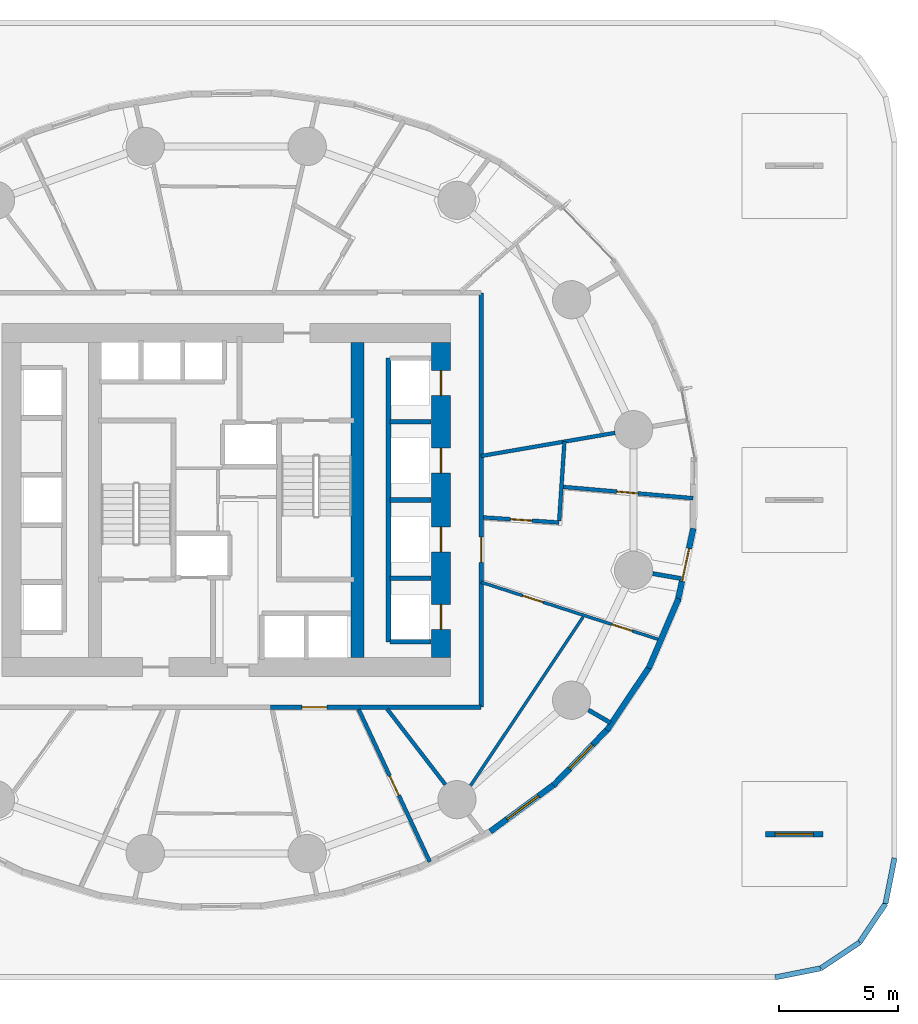
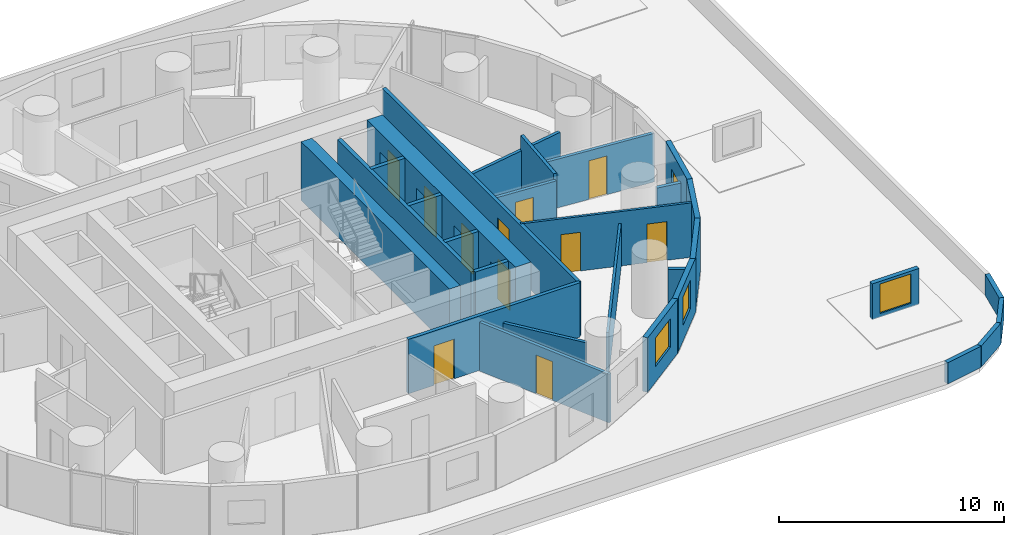
# One storey, part 8 of 12: 29 walls, 12 doors, 3 windows, 15 openings.
"""IFC4 building model written with IfcOpenShell, lengths in metres."""

from ifc_helpers import new_model, si_unit, direction, frame, frame_2d, origin, place, context, subcontext, project, spatial, rectangle, extrude, material, layer, layer_set, type_object, element, fill, save


model = new_model("IFC4")

# Units and contexts
model_context = context("Model", 3, precision=1e-05, world=origin(), true_north=direction((0.0, 1.0)))
body_context = subcontext(model_context, "Body", "Model", "MODEL_VIEW")
ifc_project = project(units=[si_unit("LENGTHUNIT", "METRE"), si_unit("AREAUNIT", "SQUARE_METRE"), si_unit("VOLUMEUNIT", "CUBIC_METRE"), si_unit("PLANEANGLEUNIT", "RADIAN"), si_unit("MASSUNIT", "GRAM", prefix="KILO")], contexts=[model_context])

# Site, building, storey
site_placement = place(None, origin())
site = spatial("IfcSite", under=ifc_project, at=site_placement, CompositionType="ELEMENT")
building_placement = place(site_placement, origin())
building = spatial("IfcBuilding", under=site, at=building_placement, Name="Veldorim Arch Residences", CompositionType="ELEMENT")
storey_placement = place(building_placement, frame((0.0, 0.0, 24.800048828125)))
storey = spatial("IfcBuildingStorey", under=building, at=storey_placement, Name="L06", CompositionType="ELEMENT", Elevation=24.800048828125)

# Wall, openings, doors
ifc_material_1 = material(Name="Acoustic Gypsum Board", Category="gypsum")
ifc_layer_1 = layer(ifc_material_1, 0.125, Name="Acoustic Stud Room Partition Wall 125")
ifc_layer_set_1 = layer_set([ifc_layer_1], Name="Acoustic Gypsum Board")
wall_type_1 = type_object("IfcWallType", Name="Acoustic Stud Room Partition Wall 125", PredefinedType="PARTITIONING", material=ifc_layer_set_1)
wall_1_placement = place(storey_placement, frame((50.195068359375, 18.132080078125, 0.0), z_axis=(0.0, 0.0, 1.0), x_axis=(-0.951723769721, 0.306955804879, 0.0)))
wall_1 = element("IfcWall", 1, at=wall_1_placement, inside=storey, type_object=wall_type_1, Name="L06 interior wall WL-RES-L06-017", PredefinedType="PARTITIONING", context=body_context, shape_type="SweptSolid", body=[
    extrude(rectangle(XDim=7.896240234375, YDim=0.125, at=frame_2d((3.9482421875, 0.0))), origin(), (0.0, 0.0, 1.0), 2.954833984375),
])
opening_1_placement = place(wall_1_placement, frame((1.2412109375, 0.0, 0.0)))
opening_1 = element("IfcOpeningElement", 2, at=opening_1_placement, cuts=wall_1, Name="Opening DR-INT", PredefinedType="OPENING", context=body_context, shape_type="SweptSolid", body=[
    extrude(rectangle(XDim=0.89990234375, YDim=2.10009765625, at=frame_2d((0.449951171875, 1.050048828125))), frame((0.0, 0.072509765625, 0.0), z_axis=(0.0, -1.0, 0.0), x_axis=(1.0, 0.0, 0.0)), (0.0, 0.0, 1.0), 0.14501953125),
])
opening_2_placement = place(wall_1_placement, frame((5.1689453125, 0.0, 0.0)))
opening_2 = element("IfcOpeningElement", 3, at=opening_2_placement, cuts=wall_1, Name="Opening DR-INT", PredefinedType="OPENING", context=body_context, shape_type="SweptSolid", body=[
    extrude(rectangle(XDim=0.89990234375, YDim=2.10009765625, at=frame_2d((0.449951171875, 1.050048828125))), frame((0.0, 0.072509765625, 0.0), z_axis=(0.0, -1.0, 0.0), x_axis=(1.0, 0.0, 0.0)), (0.0, 0.0, 1.0), 0.14501953125),
])
ifc_material_2 = material(Name="Engineered Timber", Category="wood")
door_type_1 = type_object("IfcDoorType", Name="Apartment Internal Room Timber Door 900x2100", OperationType="SINGLE_SWING_LEFT", PredefinedType="DOOR", material=ifc_material_2)
door_1_placement = place(opening_1_placement, origin())
door_1 = element("IfcDoor", 4, at=door_1_placement, inside=storey, type_object=door_type_1, Name="L06 interior door DR-RES-L06-010", OperationType="SINGLE_SWING_RIGHT", OverallHeight=2.10009765625, OverallWidth=0.89990234375, PredefinedType="DOOR", context=body_context, shape_type="SweptSolid", body=[
    extrude(rectangle(XDim=0.89990234375, YDim=2.10009765625, at=frame_2d((0.449951171875, 1.050048828125))), frame((0.0, 0.02490234375, 0.0), z_axis=(0.0, -1.0, 0.0), x_axis=(1.0, 0.0, 0.0)), (0.0, 0.0, 1.0), 0.050048828125),
])
fill(opening_1, door_1)
door_2_placement = place(opening_2_placement, origin())
door_2 = element("IfcDoor", 5, at=door_2_placement, inside=storey, type_object=door_type_1, Name="L06 interior door DR-RES-L06-011", OperationType="SINGLE_SWING_LEFT", OverallHeight=2.10009765625, OverallWidth=0.89990234375, PredefinedType="DOOR", context=body_context, shape_type="SweptSolid", body=[
    extrude(rectangle(XDim=0.89990234375, YDim=2.10009765625, at=frame_2d((0.449951171875, 1.050048828125))), frame((0.0, 0.02490234375, 0.0), z_axis=(0.0, -1.0, 0.0), x_axis=(1.0, 0.0, 0.0)), (0.0, 0.0, 1.0), 0.050048828125),
])
fill(opening_2, door_2)

# Walls
wall_2_placement = place(storey_placement, frame((42.239990234375, 12.037353515625, 0.0), z_axis=(0.0, 0.0, 1.0), x_axis=(0.55508513016, 0.831793543059, 0.0)))
element("IfcWall", 6, at=wall_2_placement, inside=storey, type_object=wall_type_1, Name="L06 interior wall WL-RES-L06-021", PredefinedType="PARTITIONING", context=body_context, shape_type="SweptSolid", body=[
    extrude(rectangle(XDim=8.48779296875, YDim=0.125, at=frame_2d((4.243896484375, 0.0))), origin(), (0.0, 0.0, 1.0), 2.32763671875),
])
ifc_material_3 = material(Name="Lightweight Masonry Block & Gypsum", Category="masonry")
ifc_layer_2 = layer(ifc_material_3, 0.179931640625, Name="Compartment & Corridor Fire-Rated Party Wall 180")
ifc_layer_set_2 = layer_set([ifc_layer_2], Name="Lightweight Masonry Block & Gypsum")
wall_type_2 = type_object("IfcWallType", Name="Compartment & Corridor Fire-Rated Party Wall 180", PredefinedType="PARTITIONING", material=ifc_layer_set_2)
wall_3_placement = place(storey_placement, frame((47.177001953125, 15.19970703125, 0.0), z_axis=(0.0, 0.0, 1.0), x_axis=(0.865001274409, -0.501769663562, 0.0)))
element("IfcWall", 7, at=wall_3_placement, inside=storey, type_object=wall_type_2, Name="L06 interior wall WL-PIER-L06-15", PredefinedType="PARTITIONING", context=body_context, shape_type="SweptSolid", body=[
    extrude(rectangle(XDim=1.062744140625, YDim=0.179931640625, at=frame_2d((0.53125, 0.0))), origin(), (0.0, 0.0, 1.0), 2.17822265625),
])
wall_4_placement = place(storey_placement, frame((49.873779296875, 20.91455078125, 0.0), z_axis=(0.0, 0.0, 1.0), x_axis=(0.985412344637, -0.170183756676, 0.0)))
element("IfcWall", 8, at=wall_4_placement, inside=storey, type_object=wall_type_2, Name="L06 interior wall WL-PIER-L06-16", PredefinedType="PARTITIONING", context=body_context, shape_type="SweptSolid", body=[
    extrude(rectangle(XDim=1.210693359375, YDim=0.179931640625, at=frame_2d((0.60546875, 0.0))), origin(), (0.0, 0.0, 1.0), 2.17822265625),
])

# Wall, opening, door
wall_5_placement = place(storey_placement, frame((42.679931640625, 15.320068359375, 0.0), z_axis=(0.0, 0.0, 1.0), x_axis=(-1.0, 0.0, 0.0)))
wall_5 = element("IfcWall", 9, at=wall_5_placement, inside=storey, type_object=wall_type_2, Name="L06 interior wall WL-RES-L06-003", PredefinedType="PARTITIONING", context=body_context, shape_type="SweptSolid", body=[
    extrude(rectangle(XDim=8.822509765625, YDim=0.179931640625, at=frame_2d((4.4111328125, 0.0))), origin(), (0.0, 0.0, 1.0), 2.954833984375),
])
opening_3_placement = place(wall_5_placement, frame((6.461669921875, 0.0, 0.0)))
opening_3 = element("IfcOpeningElement", 10, at=opening_3_placement, cuts=wall_5, Name="Opening DR-FLT", PredefinedType="OPENING", context=body_context, shape_type="SweptSolid", body=[
    extrude(rectangle(XDim=1.050048828125, YDim=2.14990234375, at=frame_2d((0.52490234375, 1.074951171875))), frame((0.0, 0.099853515625, 0.0), z_axis=(0.0, -1.0, 0.0), x_axis=(1.0, 0.0, 0.0)), (0.0, 0.0, 1.0), 0.199951171875),
])
ifc_material_4 = material(Name="Fire-Rated Timber", Category="wood")
door_type_2 = type_object("IfcDoorType", Name="Apartment Entrance Solid-Core Fire Door 1050x2150", OperationType="SINGLE_SWING_LEFT", PredefinedType="DOOR", material=ifc_material_4)
door_3_placement = place(opening_3_placement, origin())
door_3 = element("IfcDoor", 11, at=door_3_placement, inside=storey, type_object=door_type_2, Name="L06 interior door DR-RES-L06-004", OperationType="SINGLE_SWING_RIGHT", OverallHeight=2.14990234375, OverallWidth=1.050048828125, PredefinedType="DOOR", context=body_context, shape_type="SweptSolid", body=[
    extrude(rectangle(XDim=1.050048828125, YDim=2.14990234375, at=frame_2d((0.52490234375, 1.074951171875))), frame((0.0, 0.02490234375, 0.0), z_axis=(0.0, -1.0, 0.0), x_axis=(1.0, 0.0, 0.0)), (0.0, 0.0, 1.0), 0.050048828125),
])
fill(opening_3, door_3)

wall_6_placement = place(storey_placement, frame((42.679931640625, 32.679931640625, 0.0), z_axis=(0.0, 0.0, 1.0), x_axis=(0.0, -1.0, 0.0)))
wall_6 = element("IfcWall", 12, at=wall_6_placement, inside=storey, type_object=wall_type_2, Name="L06 interior wall WL-RES-L06-004", PredefinedType="PARTITIONING", context=body_context, shape_type="SweptSolid", body=[
    extrude(rectangle(XDim=17.35986328125, YDim=0.179931640625, at=frame_2d((8.679931640625, 0.0))), origin(), (0.0, 0.0, 1.0), 2.954833984375),
])
opening_4_placement = place(wall_6_placement, frame((10.239501953125, 0.0, 0.0)))
opening_4 = element("IfcOpeningElement", 13, at=opening_4_placement, cuts=wall_6, Name="Opening DR-FLT", PredefinedType="OPENING", context=body_context, shape_type="SweptSolid", body=[
    extrude(rectangle(XDim=1.050048828125, YDim=2.14990234375, at=frame_2d((0.52490234375, 1.074951171875))), frame((0.0, 0.099853515625, 0.0), z_axis=(0.0, -1.0, 0.0), x_axis=(1.0, 0.0, 0.0)), (0.0, 0.0, 1.0), 0.199951171875),
])
door_4_placement = place(opening_4_placement, origin())
door_4 = element("IfcDoor", 14, at=door_4_placement, inside=storey, type_object=door_type_2, Name="L06 interior door DR-RES-L06-008", OperationType="SINGLE_SWING_RIGHT", OverallHeight=2.14990234375, OverallWidth=1.050048828125, PredefinedType="DOOR", context=body_context, shape_type="SweptSolid", body=[
    extrude(rectangle(XDim=1.050048828125, YDim=2.14990234375, at=frame_2d((0.52490234375, 1.074951171875))), frame((0.0, 0.02490234375, 0.0), z_axis=(0.0, -1.0, 0.0), x_axis=(1.0, 0.0, 0.0)), (0.0, 0.0, 1.0), 0.050048828125),
])
fill(opening_4, door_4)

# Walls
ifc_material_5 = material(Name="Concrete C50/60", Category="concrete")
ifc_layer_3 = layer(ifc_material_5, 0.199951171875, Name="Core Stair & Lift Shaft Enclosure Wall 200")
ifc_layer_set_3 = layer_set([ifc_layer_3], Name="Concrete C50/60")
wall_type_3 = type_object("IfcWallType", Name="Core Stair & Lift Shaft Enclosure Wall 200", PredefinedType="SHEAR", material=ifc_layer_set_3)
wall_7_placement = place(storey_placement, frame((38.800048828125, 18.06005859375, 0.0), z_axis=(0.0, 0.0, 1.0), x_axis=(0.0, 1.0, 0.0)))
element("IfcWall", 15, at=wall_7_placement, inside=storey, type_object=wall_type_3, Name="L06 shaft wall WL-B1-L06-W", PredefinedType="SHEAR", context=body_context, shape_type="SweptSolid", body=[
    extrude(rectangle(XDim=11.8798828125, YDim=0.199951171875, at=frame_2d((5.93994140625, 0.0))), origin(), (0.0, 0.0, 1.0), 3.199951171875),
])
for number, where, z_axis, x_axis, name in (
    (16, (38.8701171875, 18.06005859375, 0.0), (0.0, 0.0, 1.0), (1.0, 0.0, 0.0), "L06 shaft wall WL-B1-L06-S"),
    (17, (38.8701171875, 20.72509765625, 0.0), (0.0, 0.0, 1.0), (1.0, 0.0, 0.0), "L06 shaft wall WL-B1-L06-D1"),
    (18, (38.8701171875, 24.0, 0.0), (0.0, 0.0, 1.0), (1.0, 0.0, 0.0), "L06 shaft wall WL-B1-L06-D2"),
    (19, (38.8701171875, 27.27490234375, 0.0), (0.0, 0.0, 1.0), (1.0, 0.0, 0.0), "L06 shaft wall WL-B1-L06-D3"),
):
    element("IfcWall", number, at=place(storey_placement, frame(where, z_axis=z_axis, x_axis=x_axis)), inside=storey, type_object=wall_type_3, Name=name, PredefinedType="SHEAR", context=body_context, shape_type="SweptSolid", body=[
        extrude(rectangle(XDim=1.7099609375, YDim=0.199951171875, at=frame_2d((0.85498046875, 0.0))), origin(), (0.0, 0.0, 1.0), 3.199951171875),
    ])
ifc_material_6 = material(Name="Concrete C60/75", Category="concrete")
ifc_layer_4 = layer(ifc_material_6, 0.56005859375, Name="Internal Core Shear Web Wall 560")
ifc_layer_set_4 = layer_set([ifc_layer_4], Name="Concrete C60/75")
wall_type_4 = type_object("IfcWallType", Name="Internal Core Shear Web Wall 560", PredefinedType="SHEAR", material=ifc_layer_set_4)
wall_8_placement = place(storey_placement, frame((37.5, 17.39990234375, 0.0), z_axis=(0.0, 0.0, 1.0), x_axis=(0.0, 1.0, 0.0)))
element("IfcWall", 20, at=wall_8_placement, inside=storey, type_object=wall_type_4, Name="L06 core east internal shear web", PredefinedType="SHEAR", context=body_context, shape_type="SweptSolid", body=[
    extrude(rectangle(XDim=13.2001953125, YDim=0.56005859375, at=frame_2d((6.60009765625, 0.0))), origin(), (0.0, 0.0, 1.0), 3.199951171875),
])

# Wall, openings, doors
ifc_material_7 = material(Name="Concrete C60/75", Category="concrete")
ifc_layer_5 = layer(ifc_material_7, 0.800048828125, Name="Lower Central Core Shear Wall 800")
ifc_layer_set_5 = layer_set([ifc_layer_5], Name="Concrete C60/75")
wall_type_5 = type_object("IfcWallType", Name="Lower Central Core Shear Wall 800", PredefinedType="SHEAR", material=ifc_layer_set_5)
wall_9_placement = place(storey_placement, frame((41.0, 17.39990234375, 0.0), z_axis=(0.0, 0.0, 1.0), x_axis=(0.0, 1.0, 0.0)))
wall_9 = element("IfcWall", 21, at=wall_9_placement, inside=storey, type_object=wall_type_5, Name="L06 central core east shear wall", PredefinedType="SHEAR", context=body_context, shape_type="SweptSolid", body=[
    extrude(rectangle(XDim=13.2001953125, YDim=0.800048828125, at=frame_2d((6.60009765625, 0.0))), origin(), (0.0, 0.0, 1.0), 3.199951171875),
])
opening_5_placement = place(wall_9_placement, frame((1.175048828125, 0.0, 0.0)))
opening_5 = element("IfcOpeningElement", 22, at=opening_5_placement, cuts=wall_9, Name="Opening LD-PS", PredefinedType="OPENING", context=body_context, shape_type="SweptSolid", body=[
    extrude(rectangle(XDim=1.050048828125, YDim=2.14990234375, at=frame_2d((0.52490234375, 1.074951171875))), frame((0.0, 0.409912109375, 0.0), z_axis=(0.0, -1.0, 0.0), x_axis=(1.0, 0.0, 0.0)), (0.0, 0.0, 1.0), 0.820068359375),
])
opening_6_placement = place(wall_9_placement, frame((4.425048828125, 0.0, 0.0)))
opening_6 = element("IfcOpeningElement", 23, at=opening_6_placement, cuts=wall_9, Name="Opening LD-PS", PredefinedType="OPENING", context=body_context, shape_type="SweptSolid", body=[
    extrude(rectangle(XDim=1.050048828125, YDim=2.14990234375, at=frame_2d((0.52490234375, 1.074951171875))), frame((0.0, 0.409912109375, 0.0), z_axis=(0.0, -1.0, 0.0), x_axis=(1.0, 0.0, 0.0)), (0.0, 0.0, 1.0), 0.820068359375),
])
opening_7_placement = place(wall_9_placement, frame((7.72509765625, 0.0, 0.0)))
opening_7 = element("IfcOpeningElement", 24, at=opening_7_placement, cuts=wall_9, Name="Opening LD-PS", PredefinedType="OPENING", context=body_context, shape_type="SweptSolid", body=[
    extrude(rectangle(XDim=1.050048828125, YDim=2.14990234375, at=frame_2d((0.52490234375, 1.074951171875))), frame((0.0, 0.409912109375, 0.0), z_axis=(0.0, -1.0, 0.0), x_axis=(1.0, 0.0, 0.0)), (0.0, 0.0, 1.0), 0.820068359375),
])
opening_8_placement = place(wall_9_placement, frame((10.97509765625, 0.0, 0.0)))
opening_8 = element("IfcOpeningElement", 25, at=opening_8_placement, cuts=wall_9, Name="Opening LD-PS", PredefinedType="OPENING", context=body_context, shape_type="SweptSolid", body=[
    extrude(rectangle(XDim=1.050048828125, YDim=2.14990234375, at=frame_2d((0.52490234375, 1.074951171875))), frame((0.0, 0.409912109375, 0.0), z_axis=(0.0, -1.0, 0.0), x_axis=(1.0, 0.0, 0.0)), (0.0, 0.0, 1.0), 0.820068359375),
])
ifc_material_8 = material(Name="Stainless Steel", Category="steel")
door_type_3 = type_object("IfcDoorType", Name="Passenger Lift Bi-Parting Sliding Landing Door 1050x2150", OperationType="DOUBLE_DOOR_SLIDING", PredefinedType="DOOR", material=ifc_material_8)
door_5_placement = place(opening_5_placement, origin())
door_5 = element("IfcDoor", 26, at=door_5_placement, inside=storey, type_object=door_type_3, Name="L06 lift landing door LD-L06-PL-01", OperationType="DOUBLE_DOOR_SLIDING", OverallHeight=2.14990234375, OverallWidth=1.050048828125, PredefinedType="DOOR", context=body_context, shape_type="SweptSolid", body=[
    extrude(rectangle(XDim=1.050048828125, YDim=2.14990234375, at=frame_2d((0.52490234375, 1.074951171875))), frame((0.0, 0.02490234375, 0.0), z_axis=(0.0, -1.0, 0.0), x_axis=(1.0, 0.0, 0.0)), (0.0, 0.0, 1.0), 0.050048828125),
])
fill(opening_5, door_5)
door_6_placement = place(opening_6_placement, origin())
door_6 = element("IfcDoor", 27, at=door_6_placement, inside=storey, type_object=door_type_3, Name="L06 lift landing door LD-L06-PL-02", OperationType="DOUBLE_DOOR_SLIDING", OverallHeight=2.14990234375, OverallWidth=1.050048828125, PredefinedType="DOOR", context=body_context, shape_type="SweptSolid", body=[
    extrude(rectangle(XDim=1.050048828125, YDim=2.14990234375, at=frame_2d((0.52490234375, 1.074951171875))), frame((0.0, 0.02490234375, 0.0), z_axis=(0.0, -1.0, 0.0), x_axis=(1.0, 0.0, 0.0)), (0.0, 0.0, 1.0), 0.050048828125),
])
fill(opening_6, door_6)
door_7_placement = place(opening_7_placement, origin())
door_7 = element("IfcDoor", 28, at=door_7_placement, inside=storey, type_object=door_type_3, Name="L06 lift landing door LD-L06-PL-03", OperationType="DOUBLE_DOOR_SLIDING", OverallHeight=2.14990234375, OverallWidth=1.050048828125, PredefinedType="DOOR", context=body_context, shape_type="SweptSolid", body=[
    extrude(rectangle(XDim=1.050048828125, YDim=2.14990234375, at=frame_2d((0.52490234375, 1.074951171875))), frame((0.0, 0.02490234375, 0.0), z_axis=(0.0, -1.0, 0.0), x_axis=(1.0, 0.0, 0.0)), (0.0, 0.0, 1.0), 0.050048828125),
])
fill(opening_7, door_7)
door_8_placement = place(opening_8_placement, origin())
door_8 = element("IfcDoor", 29, at=door_8_placement, inside=storey, type_object=door_type_3, Name="L06 lift landing door LD-L06-PL-04", OperationType="DOUBLE_DOOR_SLIDING", OverallHeight=2.14990234375, OverallWidth=1.050048828125, PredefinedType="DOOR", context=body_context, shape_type="SweptSolid", body=[
    extrude(rectangle(XDim=1.050048828125, YDim=2.14990234375, at=frame_2d((0.52490234375, 1.074951171875))), frame((0.0, 0.02490234375, 0.0), z_axis=(0.0, -1.0, 0.0), x_axis=(1.0, 0.0, 0.0)), (0.0, 0.0, 1.0), 0.050048828125),
])
fill(opening_8, door_8)

# Walls
ifc_material_9 = material(Name="Precast concrete C40/50", Category="concrete")
ifc_layer_6 = layer(ifc_material_9, 0.219970703125, Name="Terrace & Refuge Perimeter Parapet Wall 220")
ifc_layer_set_6 = layer_set([ifc_layer_6], Name="Precast concrete C40/50")
wall_type_6 = type_object("IfcWallType", Name="Terrace & Refuge Perimeter Parapet Wall 220", PredefinedType="PARAPET", material=ifc_layer_set_6)
for number, where, z_axis, x_axis, name in (
    (30, (56.913330078125, 4.380615234375, 0.0), (0.0, 0.0, 1.0), (-0.980782316333, -0.19510522281, 0.0), "L06 podium roof garden perimeter parapet 00"),
    (31, (58.535400390625, 5.464599609375, 0.0), (0.0, 0.0, 1.0), (-0.831433704682, -0.555623968812, 0.0), "L06 podium roof garden perimeter parapet 01"),
    (32, (59.619384765625, 7.086669921875, 0.0), (0.0, 0.0, 1.0), (-0.555623968812, -0.831433704682, 0.0), "L06 podium roof garden perimeter parapet 02"),
    (33, (60.0, 9.0, 0.0), (0.0, 0.0, 1.0), (-0.19510522281, -0.980782316333, 0.0), "L06 podium roof garden perimeter parapet 03"),
):
    element("IfcWall", number, at=place(storey_placement, frame(where, z_axis=z_axis, x_axis=x_axis)), inside=storey, type_object=wall_type_6, Name=name, PredefinedType="PARAPET", context=body_context, shape_type="SweptSolid", body=[
        extrude(rectangle(XDim=1.950927734375, YDim=0.219970703125, at=frame_2d((0.9755859375, 0.0))), origin(), (0.0, 0.0, 1.0), 1.14990234375),
    ])

# Wall, opening, window
wall_10_placement = place(storey_placement, frame((54.60009765625, 10.0, 0.0), z_axis=(0.0, 0.0, 1.0), x_axis=(1.0, 0.0, 0.0)))
wall_10 = element("IfcWall", 34, at=wall_10_placement, inside=storey, type_object=wall_type_6, Name="L06 clinic atrium skylight monitor wall 04", PredefinedType="PARAPET", context=body_context, shape_type="SweptSolid", body=[
    extrude(rectangle(XDim=2.39990234375, YDim=0.219970703125, at=frame_2d((1.199951171875, 0.0))), origin(), (0.0, 0.0, 1.0), 1.949951171875),
])
opening_9_placement = place(wall_10_placement, frame((0.39990234375, 0.0, 0.199951171875)))
opening_9 = element("IfcOpeningElement", 35, at=opening_9_placement, cuts=wall_10, Name="Opening SK-01", PredefinedType="OPENING", context=body_context, shape_type="SweptSolid", body=[
    extrude(rectangle(XDim=1.60009765625, YDim=1.60009765625, at=frame_2d((0.800048828125, 0.800048828125))), frame((0.0, 0.119873046875, 0.0), z_axis=(0.0, -1.0, 0.0), x_axis=(1.0, 0.0, 0.0)), (0.0, 0.0, 1.0), 0.239990234375),
])
ifc_material_10 = material(Name="Laminated Low-E Glass", Category="glass")
window_type_1 = type_object("IfcWindowType", Name="Podium Roof Framed Skylight 1600x1600", PartitioningType="SINGLE_PANEL", PredefinedType="SKYLIGHT", material=ifc_material_10)
window_1_placement = place(opening_9_placement, origin())
window_1 = element("IfcWindow", 36, at=window_1_placement, inside=storey, type_object=window_type_1, Name="L06 polyclinic roof skylight 04", OverallHeight=1.60009765625, OverallWidth=1.60009765625, PartitioningType="SINGLE_PANEL", PredefinedType="SKYLIGHT", context=body_context, shape_type="SweptSolid", body=[
    extrude(rectangle(XDim=1.60009765625, YDim=1.60009765625, at=frame_2d((0.800048828125, 0.800048828125))), frame((0.0, 0.030029296875, 0.0), z_axis=(0.0, -1.0, 0.0), x_axis=(1.0, 0.0, 0.0)), (0.0, 0.0, 1.0), 0.06005859375),
])
fill(opening_9, window_1)

ifc_material_11 = material(Name="Precast concrete C40/50", Category="concrete")
ifc_layer_7 = layer(ifc_material_11, 0.25, Name="Tower Terracotta Spandrel & Pier Wall 250")
ifc_layer_set_7 = layer_set([ifc_layer_7], Name="Precast concrete C40/50")
wall_type_7 = type_object("IfcWallType", Name="Tower Terracotta Spandrel & Pier Wall 250", PredefinedType="SOLIDWALL", material=ifc_layer_set_7)
wall_11_placement = place(storey_placement, frame((45.797607421875, 12.120361328125, 0.0), z_axis=(0.0, 0.0, 1.0), x_axis=(-0.805405938507, -0.592723606935, 0.0)))
wall_11 = element("IfcWall", 37, at=wall_11_placement, inside=storey, type_object=wall_type_7, Name="L06 terracotta facade wall 31", PredefinedType="SOLIDWALL", context=body_context, shape_type="SweptSolid", body=[
    extrude(rectangle(XDim=3.39892578125, YDim=0.25, at=frame_2d((1.699462890625, 0.0))), origin(), (0.0, 0.0, 1.0), 2.9599609375),
])
opening_10_placement = place(wall_11_placement, frame((0.875, 0.0, 0.85009765625)))
opening_10 = element("IfcOpeningElement", 38, at=opening_10_placement, cuts=wall_11, Name="Opening WN-03", PredefinedType="OPENING", context=body_context, shape_type="SweptSolid", body=[
    extrude(rectangle(XDim=1.64990234375, YDim=1.550048828125, at=frame_2d((0.824951171875, 0.77490234375))), frame((0.0, 0.135009765625, 0.0), z_axis=(0.0, -1.0, 0.0), x_axis=(1.0, 0.0, 0.0)), (0.0, 0.0, 1.0), 0.27001953125),
])
ifc_material_12 = material(Name="Laminated Low-E Glass", Category="glass")
window_type_2 = type_object("IfcWindowType", Name="Residential Wide Window 1650x1550", PartitioningType="SINGLE_PANEL", PredefinedType="WINDOW", material=ifc_material_12)
window_2_placement = place(opening_10_placement, origin())
window_2 = element("IfcWindow", 39, at=window_2_placement, inside=storey, type_object=window_type_2, Name="L06 solar-control facade window 31", OverallHeight=1.550048828125, OverallWidth=1.64990234375, PartitioningType="SINGLE_PANEL", PredefinedType="WINDOW", context=body_context, shape_type="SweptSolid", body=[
    extrude(rectangle(XDim=1.64990234375, YDim=1.550048828125, at=frame_2d((0.824951171875, 0.77490234375))), frame((0.0, 0.030029296875, 0.0), z_axis=(0.0, -1.0, 0.0), x_axis=(1.0, 0.0, 0.0)), (0.0, 0.0, 1.0), 0.06005859375),
])
fill(opening_10, window_2)

wall_12_placement = place(storey_placement, frame((48.021484375, 14.4384765625, 0.0), z_axis=(0.0, 0.0, 1.0), x_axis=(-0.694392538781, -0.719596416115, 0.0)))
wall_12 = element("IfcWall", 40, at=wall_12_placement, inside=storey, type_object=wall_type_7, Name="L06 terracotta facade wall 32", PredefinedType="SOLIDWALL", context=body_context, shape_type="SweptSolid", body=[
    extrude(rectangle(XDim=3.322509765625, YDim=0.25, at=frame_2d((1.6611328125, 0.0))), origin(), (0.0, 0.0, 1.0), 2.9599609375),
])
opening_11_placement = place(wall_12_placement, frame((0.9609375, 0.0, 0.85009765625)))
opening_11 = element("IfcOpeningElement", 41, at=opening_11_placement, cuts=wall_12, Name="Opening WN-02", PredefinedType="OPENING", context=body_context, shape_type="SweptSolid", body=[
    extrude(rectangle(XDim=1.39990234375, YDim=1.550048828125, at=frame_2d((0.699951171875, 0.77490234375))), frame((0.0, 0.135009765625, 0.0), z_axis=(0.0, -1.0, 0.0), x_axis=(1.0, 0.0, 0.0)), (0.0, 0.0, 1.0), 0.27001953125),
])
ifc_material_13 = material(Name="Laminated Low-E Glass", Category="glass")
window_type_3 = type_object("IfcWindowType", Name="Residential Casement Window 1400x1550", PartitioningType="SINGLE_PANEL", PredefinedType="WINDOW", material=ifc_material_13)
window_3_placement = place(opening_11_placement, origin())
window_3 = element("IfcWindow", 42, at=window_3_placement, inside=storey, type_object=window_type_3, Name="L06 solar-control facade window 32", OverallHeight=1.550048828125, OverallWidth=1.39990234375, PartitioningType="SINGLE_PANEL", PredefinedType="WINDOW", context=body_context, shape_type="SweptSolid", body=[
    extrude(rectangle(XDim=1.39990234375, YDim=1.550048828125, at=frame_2d((0.699951171875, 0.77490234375))), frame((0.0, 0.030029296875, 0.0), z_axis=(0.0, -1.0, 0.0), x_axis=(1.0, 0.0, 0.0)), (0.0, 0.0, 1.0), 0.06005859375),
])
fill(opening_11, window_3)

# Walls
wall_13_placement = place(storey_placement, frame((49.7578125, 17.046630859375, 0.0), z_axis=(0.0, 0.0, 1.0), x_axis=(-0.556764929833, -0.83067009872, 0.0)))
element("IfcWall", 43, at=wall_13_placement, inside=storey, type_object=wall_type_7, Name="L06 terracotta facade wall 33", PredefinedType="SOLIDWALL", context=body_context, shape_type="SweptSolid", body=[
    extrude(rectangle(XDim=3.244384765625, YDim=0.25, at=frame_2d((1.6220703125, 0.0))), origin(), (0.0, 0.0, 1.0), 2.9599609375),
])
wall_14_placement = place(storey_placement, frame((50.95361328125, 19.865234375, 0.0), z_axis=(0.0, 0.0, 1.0), x_axis=(-0.393733630937, -0.91922457967, 0.0)))
element("IfcWall", 44, at=wall_14_placement, inside=storey, type_object=wall_type_7, Name="L06 terracotta facade wall 34", PredefinedType="SOLIDWALL", context=body_context, shape_type="SweptSolid", body=[
    extrude(rectangle(XDim=3.174072265625, YDim=0.25, at=frame_2d((1.5869140625, 0.0))), origin(), (0.0, 0.0, 1.0), 2.9599609375),
])

# Wall, opening, door
wall_15_placement = place(storey_placement, frame((51.573486328125, 22.80810546875, 0.0), z_axis=(0.0, 0.0, 1.0), x_axis=(-0.209668000253, -0.977772637002, 0.0)))
wall_15 = element("IfcWall", 45, at=wall_15_placement, inside=storey, type_object=wall_type_7, Name="L06 terracotta facade wall 35", PredefinedType="SOLIDWALL", context=body_context, shape_type="SweptSolid", body=[
    extrude(rectangle(XDim=3.12060546875, YDim=0.25, at=frame_2d((1.560302734375, 0.0))), origin(), (0.0, 0.0, 1.0), 2.9599609375),
])
opening_12_placement = place(wall_15_placement, frame((0.860107421875, 0.0, 0.0)))
opening_12 = element("IfcOpeningElement", 46, at=opening_12_placement, cuts=wall_15, Name="Opening TR-DR2", PredefinedType="OPENING", context=body_context, shape_type="SweptSolid", body=[
    extrude(rectangle(XDim=1.39990234375, YDim=2.010009765625, at=frame_2d((0.699951171875, 1.0048828125))), frame((0.0, 0.135009765625, 0.0), z_axis=(0.0, -1.0, 0.0), x_axis=(1.0, 0.0, 0.0)), (0.0, 0.0, 1.0), 0.27001953125),
])
ifc_material_14 = material(Name="Aluminium & Low-E Glass", Category="aluminium")
door_type_4 = type_object("IfcDoorType", Name="Podium Wellness Terrace Low-Soffit Door 1400x2010", OperationType="SINGLE_SWING_LEFT", PredefinedType="DOOR", material=ifc_material_14)
door_9_placement = place(opening_12_placement, origin())
door_9 = element("IfcDoor", 47, at=door_9_placement, inside=storey, type_object=door_type_4, Name="L06 glazed outdoor terrace door PODE", OperationType="SINGLE_SWING_LEFT", OverallHeight=2.010009765625, OverallWidth=1.39990234375, PredefinedType="DOOR", context=body_context, shape_type="SweptSolid", body=[
    extrude(rectangle(XDim=1.39990234375, YDim=2.010009765625, at=frame_2d((0.699951171875, 1.0048828125))), frame((0.0, 0.02490234375, 0.0), z_axis=(0.0, -1.0, 0.0), x_axis=(1.0, 0.0, 0.0)), (0.0, 0.0, 1.0), 0.050048828125),
])
fill(opening_12, door_9)

ifc_material_15 = material(Name="Moisture-Resistant Gypsum & Stud", Category="gypsum")
ifc_layer_8 = layer(ifc_material_15, 0.159912109375, Name="Wet-Area Moisture-Resistant Plumbing Wall 160")
ifc_layer_set_8 = layer_set([ifc_layer_8], Name="Moisture-Resistant Gypsum & Stud")
wall_type_8 = type_object("IfcWallType", Name="Wet-Area Moisture-Resistant Plumbing Wall 160", PredefinedType="PLUMBINGWALL", material=ifc_layer_set_8)
wall_16_placement = place(storey_placement, frame((37.549560546875, 15.2294921875, 0.0), z_axis=(0.0, 0.0, 1.0), x_axis=(0.422745211231, -0.906248578692, 0.0)))
wall_16 = element("IfcWall", 48, at=wall_16_placement, inside=storey, type_object=wall_type_8, Name="L06 interior wall WL-RES-L06-012", PredefinedType="PLUMBINGWALL", context=body_context, shape_type="SweptSolid", body=[
    extrude(rectangle(XDim=7.052001953125, YDim=0.159912109375, at=frame_2d((3.52587890625, 0.0))), origin(), (0.0, 0.0, 1.0), 2.641357421875),
])
opening_13_placement = place(wall_16_placement, frame((3.075927734375, 0.0, 0.0)))
opening_13 = element("IfcOpeningElement", 49, at=opening_13_placement, cuts=wall_16, Name="Opening DR-WC", PredefinedType="OPENING", context=body_context, shape_type="SweptSolid", body=[
    extrude(rectangle(XDim=0.89990234375, YDim=2.10009765625, at=frame_2d((0.449951171875, 1.050048828125))), frame((0.0, 0.08984375, 0.0), z_axis=(0.0, -1.0, 0.0), x_axis=(1.0, 0.0, 0.0)), (0.0, 0.0, 1.0), 0.179931640625),
])
ifc_material_16 = material(Name="Laminate Timber", Category="wood")
door_type_5 = type_object("IfcDoorType", Name="Bathroom & Accessible WC Moisture-Sealed Door 900x2100", OperationType="SINGLE_SWING_LEFT", PredefinedType="DOOR", material=ifc_material_16)
door_10_placement = place(opening_13_placement, origin())
door_10 = element("IfcDoor", 50, at=door_10_placement, inside=storey, type_object=door_type_5, Name="L06 interior door DR-RES-L06-005", OperationType="SINGLE_SWING_LEFT", OverallHeight=2.10009765625, OverallWidth=0.89990234375, PredefinedType="DOOR", context=body_context, shape_type="SweptSolid", body=[
    extrude(rectangle(XDim=0.89990234375, YDim=2.10009765625, at=frame_2d((0.449951171875, 1.050048828125))), frame((0.0, 0.02490234375, 0.0), z_axis=(0.0, -1.0, 0.0), x_axis=(1.0, 0.0, 0.0)), (0.0, 0.0, 1.0), 0.050048828125),
])
fill(opening_13, door_10)

# Wall
wall_17_placement = place(storey_placement, frame((38.744140625, 15.24072265625, 0.0), z_axis=(0.0, 0.0, 1.0), x_axis=(0.610097434882, -0.792326397358, 0.0)))
element("IfcWall", 51, at=wall_17_placement, inside=storey, type_object=wall_type_8, Name="L06 interior wall WL-RES-L06-014", PredefinedType="PLUMBINGWALL", context=body_context, shape_type="SweptSolid", body=[
    extrude(rectangle(XDim=3.99658203125, YDim=0.159912109375, at=frame_2d((1.998291015625, 0.0))), origin(), (0.0, 0.0, 1.0), 2.17822265625),
])

# Wall, opening, door
wall_18_placement = place(storey_placement, frame((46.043701171875, 24.5546875, 0.0), z_axis=(0.0, 0.0, 1.0), x_axis=(0.996262385211, -0.086378584226, 0.0)))
wall_18 = element("IfcWall", 52, at=wall_18_placement, inside=storey, type_object=wall_type_8, Name="L06 interior wall WL-RES-L06-016", PredefinedType="PLUMBINGWALL", context=body_context, shape_type="SweptSolid", body=[
    extrude(rectangle(XDim=5.539794921875, YDim=0.159912109375, at=frame_2d((2.77001953125, 0.0))), origin(), (0.0, 0.0, 1.0), 2.641357421875),
])
opening_14_placement = place(wall_18_placement, frame((2.320068359375, 0.0, 0.0)))
opening_14 = element("IfcOpeningElement", 53, at=opening_14_placement, cuts=wall_18, Name="Opening DR-WC", PredefinedType="OPENING", context=body_context, shape_type="SweptSolid", body=[
    extrude(rectangle(XDim=0.89990234375, YDim=2.10009765625, at=frame_2d((0.449951171875, 1.050048828125))), frame((0.0, 0.08984375, 0.0), z_axis=(0.0, -1.0, 0.0), x_axis=(1.0, 0.0, 0.0)), (0.0, 0.0, 1.0), 0.179931640625),
])
door_11_placement = place(opening_14_placement, origin())
door_11 = element("IfcDoor", 54, at=door_11_placement, inside=storey, type_object=door_type_5, Name="L06 interior door DR-RES-L06-009", OperationType="SINGLE_SWING_LEFT", OverallHeight=2.10009765625, OverallWidth=0.89990234375, PredefinedType="DOOR", context=body_context, shape_type="SweptSolid", body=[
    extrude(rectangle(XDim=0.89990234375, YDim=2.10009765625, at=frame_2d((0.449951171875, 1.050048828125))), frame((0.0, 0.02490234375, 0.0), z_axis=(0.0, -1.0, 0.0), x_axis=(1.0, 0.0, 0.0)), (0.0, 0.0, 1.0), 0.050048828125),
])
fill(opening_14, door_11)

wall_19_placement = place(storey_placement, frame((42.77978515625, 23.269287109375, 0.0), z_axis=(0.0, 0.0, 1.0), x_axis=(0.99776911562, -0.066759208461, 0.0)))
wall_19 = element("IfcWall", 55, at=wall_19_placement, inside=storey, type_object=wall_type_8, Name="L06 interior wall WL-RES-L06-018", PredefinedType="PLUMBINGWALL", context=body_context, shape_type="SweptSolid", body=[
    extrude(rectangle(XDim=3.170654296875, YDim=0.159912109375, at=frame_2d((1.58544921875, 0.0))), origin(), (0.0, 0.0, 1.0), 2.641357421875),
])
opening_15_placement = place(wall_19_placement, frame((1.13525390625, 0.0, 0.0)))
opening_15 = element("IfcOpeningElement", 56, at=opening_15_placement, cuts=wall_19, Name="Opening DR-INT", PredefinedType="OPENING", context=body_context, shape_type="SweptSolid", body=[
    extrude(rectangle(XDim=0.89990234375, YDim=2.10009765625, at=frame_2d((0.449951171875, 1.050048828125))), frame((0.0, 0.08984375, 0.0), z_axis=(0.0, -1.0, 0.0), x_axis=(1.0, 0.0, 0.0)), (0.0, 0.0, 1.0), 0.179931640625),
])
door_12_placement = place(opening_15_placement, origin())
door_12 = element("IfcDoor", 57, at=door_12_placement, inside=storey, type_object=door_type_1, Name="L06 interior door DR-RES-L06-012", OperationType="SINGLE_SWING_RIGHT", OverallHeight=2.10009765625, OverallWidth=0.89990234375, PredefinedType="DOOR", context=body_context, shape_type="SweptSolid", body=[
    extrude(rectangle(XDim=0.89990234375, YDim=2.10009765625, at=frame_2d((0.449951171875, 1.050048828125))), frame((0.0, 0.02490234375, 0.0), z_axis=(0.0, -1.0, 0.0), x_axis=(1.0, 0.0, 0.0)), (0.0, 0.0, 1.0), 0.050048828125),
])
fill(opening_15, door_12)

# Walls
wall_20_placement = place(storey_placement, frame((45.947265625, 23.117431640625, 0.0), z_axis=(0.0, 0.0, 1.0), x_axis=(0.066888153037, 0.997760479766, 0.0)))
element("IfcWall", 58, at=wall_20_placement, inside=storey, type_object=wall_type_8, Name="L06 interior wall WL-RES-L06-019", PredefinedType="PLUMBINGWALL", context=body_context, shape_type="SweptSolid", body=[
    extrude(rectangle(XDim=3.336181640625, YDim=0.159912109375, at=frame_2d((1.66796875, 0.0))), origin(), (0.0, 0.0, 1.0), 2.954833984375),
])
wall_21_placement = place(storey_placement, frame((42.679931640625, 25.843994140625, 0.0), z_axis=(0.0, 0.0, 1.0), x_axis=(0.985435597438, 0.170049061456, 0.0)))
element("IfcWall", 59, at=wall_21_placement, inside=storey, type_object=wall_type_8, Name="L06 interior wall WL-RES-L06-020", PredefinedType="PLUMBINGWALL", context=body_context, shape_type="SweptSolid", body=[
    extrude(rectangle(XDim=5.694091796875, YDim=0.159912109375, at=frame_2d((2.84716796875, 0.0))), origin(), (0.0, 0.0, 1.0), 2.17822265625),
])

save(model, "model.ifc")
